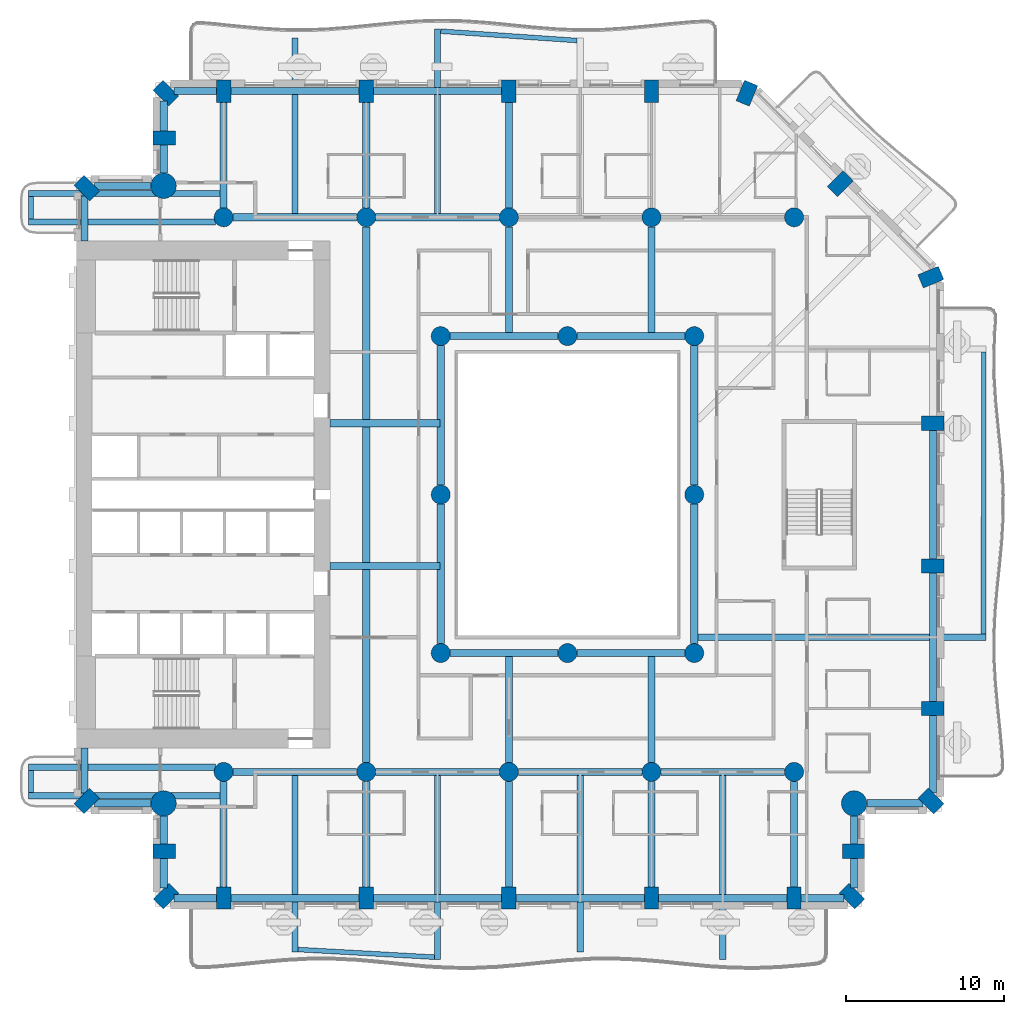
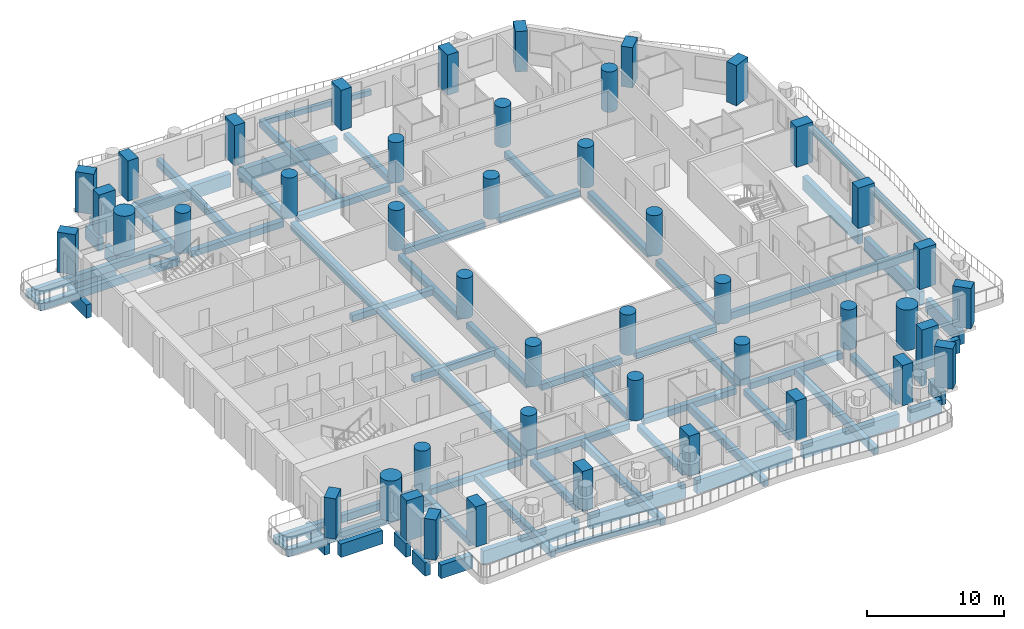
# One storey, part 1 of 20: 70 beams, 45 columns.
"""IFC4 building model written with IfcOpenShell, lengths in metres."""

import ifcopenshell
import ifcopenshell.guid

model = None  # the IFC model being written
_history = None  # IfcOwnerHistory: only IFC2X3 demands one
_inside = {}  # id of a spatial element -> (the spatial element, [elements in it])
_under = {}  # id of a project, library or spatial element -> (it, [spatial elements below it])
_declared = {}  # id of a project -> (the project, [libraries it declares])
_typed = {}  # id of a type object -> (the type object, [elements of that type])
_made_of = {}  # id of a material, layer set ... -> (it, [elements and type objects made of it])


def new_model(schema):
    """Start an empty IFC model of exactly this schema.

    Asked for "IFC4X3", IfcOpenShell would pick the latest addendum, in which some entities
    have other attributes; the version numbers below select the first issue.
    IFC2X3 requires an IfcOwnerHistory on every rooted entity: one is made here for all.
    """
    global model, _history
    if schema == "IFC4X3":
        model = ifcopenshell.file(schema_version=(4, 3, 0, 0))
    else:
        model = ifcopenshell.file(schema=schema)
    _inside.clear()
    _under.clear()
    _declared.clear()
    _typed.clear()
    _made_of.clear()
    _history = None
    if model.schema == "IFC2X3":
        org = make("IfcOrganization", Name="unknown")
        user = make(
            "IfcPersonAndOrganization",
            ThePerson=make("IfcPerson", FamilyName="unknown"),
            TheOrganization=org,
        )
        app = make(
            "IfcApplication",
            ApplicationDeveloper=org,
            Version="unknown",
            ApplicationFullName="unknown",
            ApplicationIdentifier="unknown",
        )
        _history = make(
            "IfcOwnerHistory",
            OwningUser=user,
            OwningApplication=app,
            ChangeAction="ADDED",
            CreationDate=0,
        )
    return model


def make(cls, **values):
    """One entity of the class cls with the attributes given. An attribute that is None is left unset."""
    return model.create_entity(
        cls, **{name: value for name, value in values.items() if value is not None}
    )


def rooted(cls, **values):
    """An entity with a GlobalId (a new one), such as an element, a storey or a relation."""
    return make(cls, GlobalId=ifcopenshell.guid.new(), OwnerHistory=_history, **values)


def si_unit(unit_type, name, prefix=None):
    """IfcSIUnit, for example si_unit("LENGTHUNIT", "METRE", prefix="MILLI")."""
    return make("IfcSIUnit", UnitType=unit_type, Prefix=prefix, Name=name)


def assignment(units):
    """IfcUnitAssignment: the units of a project."""
    return None if units is None else make("IfcUnitAssignment", Units=units)


def point(xyz):
    """IfcCartesianPoint."""
    return None if xyz is None else make("IfcCartesianPoint", Coordinates=xyz)


def direction(xyz):
    """IfcDirection."""
    return None if xyz is None else make("IfcDirection", DirectionRatios=xyz)


def frame(location, z_axis=None, x_axis=None):
    """IfcAxis2Placement3D, a coordinate frame: its origin and axes. An axis left out is left unset."""
    return make(
        "IfcAxis2Placement3D",
        Location=point(location),
        Axis=direction(z_axis),
        RefDirection=direction(x_axis),
    )


def frame_2d(location, x_axis=None):
    """IfcAxis2Placement2D, a coordinate frame in the plane: its origin and x axis."""
    return make(
        "IfcAxis2Placement2D", Location=point(location), RefDirection=direction(x_axis)
    )


def origin():
    """The frame at (0, 0, 0) with its axes left unset."""
    return frame((0.0, 0.0, 0.0))


def origin_2d():
    """The frame at (0, 0) in the plane with its x axis left unset."""
    return frame_2d((0.0, 0.0))


def place(relative_to, where):
    """IfcLocalPlacement: puts the frame where relative to a parent placement (None: the world)."""
    return make(
        "IfcLocalPlacement", PlacementRelTo=relative_to, RelativePlacement=where
    )


def context(
    kind, dimensions, precision=None, world=None, true_north=None, identifier=None
):
    """IfcGeometricRepresentationContext, for example the 3D "Model" context."""
    return make(
        "IfcGeometricRepresentationContext",
        ContextIdentifier=identifier,
        ContextType=kind,
        CoordinateSpaceDimension=dimensions,
        Precision=precision,
        WorldCoordinateSystem=world,
        TrueNorth=true_north,
    )


def subcontext(parent, identifier, kind, view, scale=None):
    """IfcGeometricRepresentationSubContext, for example "Body" below "Model"."""
    return make(
        "IfcGeometricRepresentationSubContext",
        ContextIdentifier=identifier,
        ContextType=kind,
        ParentContext=parent,
        TargetScale=scale,
        TargetView=view,
    )


def project(units=None, contexts=None):
    """IfcProject with its units and contexts."""
    return rooted(
        "IfcProject",
        Name="project",
        RepresentationContexts=contexts,
        UnitsInContext=assignment(units),
    )


def spatial(cls, under=None, at=None, **own):
    """A site, building, storey or space (cls), placed at a placement, below another one or the project."""
    s = rooted(cls, ObjectPlacement=at, **own)
    if under is not None:
        _under.setdefault(under.id(), (under, []))[1].append(s)
    return s


def profile(cls, at=None, kind="AREA", **sizes):
    """A parametric profile (cls). Its sizes go by their IFC names, for example OverallWidth=200.0."""
    return make(cls, ProfileType=kind, Position=at, **sizes)


def rectangle(**sizes):
    """IfcRectangleProfileDef."""
    return profile("IfcRectangleProfileDef", **sizes)


def circle(**sizes):
    """IfcCircleProfileDef."""
    return profile("IfcCircleProfileDef", **sizes)


def extrude(swept, where, along, depth):
    """IfcExtrudedAreaSolid: the profile swept, set in the frame where, extruded along a direction by depth."""
    return make(
        "IfcExtrudedAreaSolid",
        SweptArea=swept,
        Position=where,
        ExtrudedDirection=direction(along),
        Depth=depth,
    )


def shape(context_of_items, identifier, shape_type, items):
    """IfcShapeRepresentation: the items that make up one representation, for example the "Body"."""
    return make(
        "IfcShapeRepresentation",
        ContextOfItems=context_of_items,
        RepresentationIdentifier=identifier,
        RepresentationType=shape_type,
        Items=items,
    )


def material(Name=None, Category=None):
    """IfcMaterial."""
    return make("IfcMaterial", Name=Name, Category=Category)


def material_profile(
    of_material, cross_section, Name=None, Category=None, Priority=None
):
    """IfcMaterialProfile: a cross section and its material."""
    return make(
        "IfcMaterialProfile",
        Name=Name,
        Material=of_material,
        Profile=cross_section,
        Priority=Priority,
        Category=Category,
    )


def profile_set(profiles, Name=None, composite=None):
    """IfcMaterialProfileSet."""
    return make(
        "IfcMaterialProfileSet",
        Name=Name,
        MaterialProfiles=profiles,
        CompositeProfile=composite,
    )


def made_of(thing, what):
    """Note that an element or type object is made of a material, layer set ...; save() writes the relation."""
    if what is not None:
        _made_of.setdefault(what.id(), (what, []))[1].append(thing)
    return thing


def type_object(cls, material=None, **own):
    """A type object (cls), such as IfcWallType, which elements share."""
    return made_of(rooted(cls, **own), material)


def element(
    cls,
    number,
    at=None,
    inside=None,
    cuts=None,
    type_object=None,
    material=None,
    context=None,
    identifier="Body",
    shape_type=None,
    held_by="IfcProductDefinitionShape",
    body=None,
    shapes=None,
    **own,
):
    """One element of the class cls, such as IfcWall. Its Tag is "e" and its number.

    at: its placement. inside: the storey or other place that contains it. cuts: it is an
    opening in that element (IfcRelVoidsElement). A single representation is given by context,
    identifier, shape_type and body (its items); several are given by shapes. held_by: the class
    of the entity that holds the representations. save() writes the other relations.
    """
    e = rooted(cls, Tag="e%d" % number, ObjectPlacement=at, **own)
    if body is not None:
        shapes = [shape(context, identifier, shape_type, body)]
    if shapes is not None:
        e.Representation = make(held_by, Representations=shapes)
    if inside is not None:
        _inside.setdefault(inside.id(), (inside, []))[1].append(e)
    if cuts is not None:
        rooted(
            "IfcRelVoidsElement", RelatingBuildingElement=cuts, RelatedOpeningElement=e
        )
    if type_object is not None:
        _typed.setdefault(type_object.id(), (type_object, []))[1].append(e)
    return made_of(e, material)


def aggregate(whole, parts):
    """IfcRelAggregates: a whole, such as a stair, and the parts it consists of."""
    return rooted("IfcRelAggregates", RelatingObject=whole, RelatedObjects=parts)


def save(model, path):
    """Write the relations noted so far, then the file.

    IfcRelAggregates (storeys below a building ...), IfcRelContainedInSpatialStructure (elements
    in a storey), IfcRelDefinesByType, IfcRelAssociatesMaterial and IfcRelDeclares: one each for
    every whole, place, type object, material and project.
    """
    for whole, parts in _under.values():
        aggregate(whole, parts)
    for where, things in _inside.values():
        rooted(
            "IfcRelContainedInSpatialStructure",
            RelatedElements=things,
            RelatingStructure=where,
        )
    for kind, things in _typed.values():
        rooted("IfcRelDefinesByType", RelatedObjects=things, RelatingType=kind)
    for what, things in _made_of.values():
        rooted("IfcRelAssociatesMaterial", RelatedObjects=things, RelatingMaterial=what)
    for by, libraries in _declared.values():
        rooted("IfcRelDeclares", RelatingContext=by, RelatedDefinitions=libraries)
    model.write(path)


model = new_model("IFC4")

# Units and contexts
model_context = context("Model", 3, precision=1e-05, world=origin(), true_north=direction((0.0, 1.0)))
body_context = subcontext(model_context, "Body", "Model", "MODEL_VIEW")
ifc_project = project(units=[si_unit("LENGTHUNIT", "METRE"), si_unit("AREAUNIT", "SQUARE_METRE"), si_unit("VOLUMEUNIT", "CUBIC_METRE"), si_unit("PLANEANGLEUNIT", "RADIAN"), si_unit("MASSUNIT", "GRAM", prefix="KILO")], contexts=[model_context])

# Site, building, storey
site_placement = place(None, origin())
site = spatial("IfcSite", under=ifc_project, at=site_placement, CompositionType="ELEMENT")
building_placement = place(site_placement, origin())
building = spatial("IfcBuilding", under=site, at=building_placement, Name="Cypress Arch Tower", CompositionType="ELEMENT")
storey_placement = place(building_placement, frame((0.0, 0.0, 55.5)))
storey = spatial("IfcBuildingStorey", under=building, at=storey_placement, Name="L07", CompositionType="ELEMENT", Elevation=55.5)

# Columns
ifc_material_1 = material(Name="Concrete C80/95", Category="concrete")
ifc_material_profile_1 = material_profile(ifc_material_1, rectangle(XDim=0.89990234375, YDim=1.39990234375, at=origin_2d()), Name="RC 900x1400")
ifc_profile_set_1 = profile_set([ifc_material_profile_1], Name="Concrete C80/95")
column_type_1 = type_object("IfcColumnType", Name="Column RC 900x1400 Concrete C80/95", PredefinedType="COLUMN", material=ifc_profile_set_1)
for number, where, z_axis, x_axis, name in (
    (1, (-29.3369140625, 19.3369140625, 0.0), (0.0, 0.0, 1.0), (-0.707106781187, -0.707106781187, 0.0), "Column L07 CA00"),
    (2, (-29.3369140625, -19.3369140625, 0.0), (0.0, 0.0, 1.0), (0.707106781187, -0.707106781187, 0.0), "Column L07 CA01"),
    (3, (-24.449951171875, -22.5, 0.0), (0.0, 0.0, 1.0), (0.0, -1.0, 0.0), "Column L07 CA03"),
    (4, (-24.3369140625, -25.3369140625, 0.0), (0.0, 0.0, 1.0), (0.707106781187, -0.707106781187, 0.0), "Column L07 CA04"),
    (5, (-20.699951171875, -25.449951171875, 0.0), (0.0, 0.0, 1.0), (1.0, 0.0, 0.0), "Column L07 CA05"),
    (6, (-11.699951171875, -25.449951171875, 0.0), (0.0, 0.0, 1.0), (1.0, 0.0, 0.0), "Column L07 CA06"),
    (7, (-2.699951171875, -25.449951171875, 0.0), (0.0, 0.0, 1.0), (1.0, 0.0, 0.0), "Column L07 CA07"),
    (8, (6.300048828125, -25.449951171875, 0.0), (0.0, 0.0, 1.0), (1.0, 0.0, 0.0), "Column L07 CA08"),
    (9, (15.300048828125, -25.449951171875, 0.0), (0.0, 0.0, 1.0), (1.0, 0.0, 0.0), "Column L07 CA09"),
    (10, (18.936767578125, -25.3369140625, 0.0), (0.0, 0.0, 1.0), (0.707106781187, 0.707106781187, 0.0), "Column L07 CA10"),
    (11, (19.050048828125, -22.5, 0.0), (0.0, 0.0, 1.0), (0.0, 1.0, 0.0), "Column L07 CA11"),
    (12, (23.936767578125, -19.3369140625, 0.0), (0.0, 0.0, 1.0), (0.707106781187, 0.707106781187, 0.0), "Column L07 CA13"),
    (13, (24.050048828125, -13.5, 0.0), (0.0, 0.0, 1.0), (0.0, 1.0, 0.0), "Column L07 CA14"),
    (14, (24.050048828125, -4.5, 0.0), (0.0, 0.0, 1.0), (0.0, 1.0, 0.0), "Column L07 CA15"),
    (15, (24.050048828125, 4.5, 0.0), (0.0, 0.0, 1.0), (0.0, 1.0, 0.0), "Column L07 CA16"),
    (16, (23.93115234375, 13.722900390625, 0.0), (0.0, 0.0, 1.0), (-0.382683496864, 0.923879505795, 0.0), "Column L07 CA17"),
    (17, (18.211181640625, 19.611083984375, 0.0), (0.0, 0.0, 1.0), (-0.707106781187, 0.707106781187, 0.0), "Column L07 CA18"),
    (18, (12.322998046875, 25.3310546875, 0.0), (0.0, 0.0, 1.0), (-0.923879505795, 0.382683496864, 0.0), "Column L07 CA19"),
    (19, (6.300048828125, 25.449951171875, 0.0), (0.0, 0.0, 1.0), (-1.0, 0.0, 0.0), "Column L07 CA20"),
    (20, (-2.699951171875, 25.449951171875, 0.0), (0.0, 0.0, 1.0), (-1.0, 0.0, 0.0), "Column L07 CA21"),
    (21, (-11.699951171875, 25.449951171875, 0.0), (0.0, 0.0, 1.0), (-1.0, 0.0, 0.0), "Column L07 CA22"),
    (22, (-20.699951171875, 25.449951171875, 0.0), (0.0, 0.0, 1.0), (-1.0, 0.0, 0.0), "Column L07 CA23"),
    (23, (-24.3369140625, 25.3369140625, 0.0), (0.0, 0.0, 1.0), (-0.707106781187, -0.707106781187, 0.0), "Column L07 CA24"),
    (24, (-24.449951171875, 22.5, 0.0), (0.0, 0.0, 1.0), (0.0, -1.0, 0.0), "Column L07 CA25"),
):
    element("IfcColumn", number, at=place(storey_placement, frame(where, z_axis=z_axis, x_axis=x_axis)), inside=storey, type_object=column_type_1, Name=name, PredefinedType="COLUMN", context=body_context, shape_type="SweptSolid", body=[
        extrude(rectangle(XDim=0.89990234375, YDim=1.39990234375, at=origin_2d()), origin(), (0.0, 0.0, 1.0), 3.60009765625),
    ])
ifc_material_2 = material(Name="Concrete C80/95", Category="concrete")
ifc_material_profile_2 = material_profile(ifc_material_2, circle(Radius=0.60009765625, at=origin_2d()), Name="RC D1200")
ifc_profile_set_2 = profile_set([ifc_material_profile_2], Name="Concrete C80/95")
column_type_2 = type_object("IfcColumnType", Name="Column RC D1200 Concrete C80/95", PredefinedType="COLUMN", material=ifc_profile_set_2)
for number, where, z_axis, x_axis, name in (
    (25, (-20.699951171875, -17.5, 0.0), (0.0, 0.0, 1.0), (1.0, 0.0, 0.0), "Column L07 CIC-L07-CI3S"),
    (26, (-11.699951171875, -17.5, 0.0), (0.0, 0.0, 1.0), (1.0, 0.0, 0.0), "Column L07 CIC-L07-CI4S"),
    (27, (-2.699951171875, -17.5, 0.0), (0.0, 0.0, 1.0), (1.0, 0.0, 0.0), "Column L07 CIC-L07-CI5S"),
    (28, (6.300048828125, -17.5, 0.0), (0.0, 0.0, 1.0), (1.0, 0.0, 0.0), "Column L07 CIC-L07-CI6S"),
    (29, (15.300048828125, -17.5, 0.0), (0.0, 0.0, 1.0), (1.0, 0.0, 0.0), "Column L07 CIC-L07-CI7S"),
    (30, (-20.699951171875, 17.5, 0.0), (0.0, 0.0, 1.0), (1.0, 0.0, 0.0), "Column L07 CIC-L07-CI3N"),
    (31, (-11.699951171875, 17.5, 0.0), (0.0, 0.0, 1.0), (1.0, 0.0, 0.0), "Column L07 CIC-L07-CI4N"),
    (32, (-2.699951171875, 17.5, 0.0), (0.0, 0.0, 1.0), (1.0, 0.0, 0.0), "Column L07 CIC-L07-CI5N"),
    (33, (6.300048828125, 17.5, 0.0), (0.0, 0.0, 1.0), (1.0, 0.0, 0.0), "Column L07 CIC-L07-CI6N"),
    (34, (15.300048828125, 17.5, 0.0), (0.0, 0.0, 1.0), (1.0, 0.0, 0.0), "Column L07 CIC-L07-CI7N"),
    (35, (-7.0, -10.0, 0.0), (0.0, 0.0, 1.0), (1.0, 0.0, 0.0), "Column L07 RNG-L07-G-7-10"),
    (36, (-7.0, 0.0, 0.0), (0.0, 0.0, 1.0), (1.0, 0.0, 0.0), "Column L07 RNG-L07-G-7+0"),
    (37, (-7.0, 10.0, 0.0), (0.0, 0.0, 1.0), (1.0, 0.0, 0.0), "Column L07 RNG-L07-G-7+10"),
    (38, (1.0, -10.0, 0.0), (0.0, 0.0, 1.0), (1.0, 0.0, 0.0), "Column L07 RNG-L07-G+1-10"),
    (39, (1.0, 10.0, 0.0), (0.0, 0.0, 1.0), (1.0, 0.0, 0.0), "Column L07 RNG-L07-G+1+10"),
    (40, (9.0, -10.0, 0.0), (0.0, 0.0, 1.0), (1.0, 0.0, 0.0), "Column L07 RNG-L07-G+9-10"),
    (41, (9.0, 0.0, 0.0), (0.0, 0.0, 1.0), (1.0, 0.0, 0.0), "Column L07 RNG-L07-G+9+0"),
    (42, (9.0, 10.0, 0.0), (0.0, 0.0, 1.0), (1.0, 0.0, 0.0), "Column L07 RNG-L07-G+9+10"),
):
    element("IfcColumn", number, at=place(storey_placement, frame(where, z_axis=z_axis, x_axis=x_axis)), inside=storey, type_object=column_type_2, Name=name, PredefinedType="COLUMN", context=body_context, shape_type="SweptSolid", body=[
        extrude(circle(Radius=0.60009765625, at=origin_2d()), origin(), (0.0, 0.0, 1.0), 3.60009765625),
    ])
ifc_material_3 = material(Name="Concrete C80/95", Category="concrete")
ifc_material_profile_3 = material_profile(ifc_material_3, circle(Radius=0.800048828125, at=origin_2d()), Name="RC D1600")
ifc_profile_set_3 = profile_set([ifc_material_profile_3], Name="Concrete C80/95")
column_type_3 = type_object("IfcColumnType", Name="Mega-column RC D1600 Concrete C80/95", PredefinedType="COLUMN", material=ifc_profile_set_3)
for number, where, z_axis, x_axis, name in (
    (43, (-24.48779296875, -19.48779296875, 0.0), (0.0, 0.0, 1.0), (1.0, 0.0, 0.0), "Column L07 CA02"),
    (44, (19.087890625, -19.48779296875, 0.0), (0.0, 0.0, 1.0), (1.0, 0.0, 0.0), "Column L07 CA12"),
    (45, (-24.48779296875, 19.48779296875, 0.0), (0.0, 0.0, 1.0), (1.0, 0.0, 0.0), "Column L07 CA26"),
):
    element("IfcColumn", number, at=place(storey_placement, frame(where, z_axis=z_axis, x_axis=x_axis)), inside=storey, type_object=column_type_3, Name=name, PredefinedType="COLUMN", context=body_context, shape_type="SweptSolid", body=[
        extrude(circle(Radius=0.800048828125, at=origin_2d()), origin(), (0.0, 0.0, 1.0), 3.60009765625),
    ])

# Beams
ifc_material_4 = material(Name="Concrete C50/60", Category="concrete")
ifc_material_profile_4 = material_profile(ifc_material_4, rectangle(XDim=0.300048828125, YDim=0.449951171875, at=origin_2d()), Name="RC 300x450")
ifc_profile_set_4 = profile_set([ifc_material_profile_4], Name="Concrete C50/60")
beam_type_1 = type_object("IfcBeamType", Name="Balcony edge beam RC 300x450 Concrete C50/60", PredefinedType="BEAM", material=ifc_profile_set_4)
beam_1_placement = place(storey_placement, frame((-16.0, -28.70947265625, -0.52490234375), z_axis=(0.998439878073, -0.05583735195, 0.0), x_axis=(0.05583735195, 0.998439878073, 0.0)))
element("IfcBeam", 46, at=beam_1_placement, inside=storey, type_object=beam_type_1, Name="Balcony edge beam L07 A03", PredefinedType="BEAM", context=body_context, shape_type="SweptSolid", body=[
    extrude(rectangle(XDim=0.300048828125, YDim=0.449951171875, at=origin_2d()), origin(), (0.0, 0.0, 1.0), 8.613525390625),
])
beam_2_placement = place(storey_placement, frame((1.60009765625, 28.65380859375, -0.52490234375), z_axis=(-0.997663993213, 0.068312199842, 0.0), x_axis=(-0.068312199842, -0.997663993213, 0.0)))
element("IfcBeam", 47, at=beam_2_placement, inside=storey, type_object=beam_type_1, Name="Balcony edge beam L07 A08", PredefinedType="BEAM", context=body_context, shape_type="SweptSolid", body=[
    extrude(rectangle(XDim=0.300048828125, YDim=0.449951171875, at=origin_2d()), origin(), (0.0, 0.0, 1.0), 8.6201171875),
])
ifc_material_5 = material(Name="Concrete C50/60", Category="concrete")
ifc_material_profile_5 = material_profile(ifc_material_5, rectangle(XDim=0.300048828125, YDim=0.64990234375, at=origin_2d()), Name="RC 300x650")
ifc_profile_set_5 = profile_set([ifc_material_profile_5], Name="Concrete C50/60")
beam_type_2 = type_object("IfcBeamType", Name="Balcony edge beam RC 300x650 Concrete C50/60", PredefinedType="BEAM", material=ifc_profile_set_5)
beam_3_placement = place(storey_placement, frame((27.257080078125, -8.800048828125, -0.625), z_axis=(0.000494104992, 0.99999987793, 0.0), x_axis=(-0.99999987793, 0.000494104992, 0.0)))
element("IfcBeam", 48, at=beam_3_placement, inside=storey, type_object=beam_type_2, Name="Balcony edge beam L07 A06", PredefinedType="BEAM", context=body_context, shape_type="SweptSolid", body=[
    extrude(rectangle(XDim=0.300048828125, YDim=0.64990234375, at=origin_2d()), origin(), (0.0, 0.0, 1.0), 17.787841796875),
])
ifc_material_6 = material(Name="Concrete C50/60", Category="concrete")
ifc_material_profile_6 = material_profile(ifc_material_6, rectangle(XDim=0.300048828125, YDim=0.39990234375, at=origin_2d()), Name="RC 300x400")
ifc_profile_set_6 = profile_set([ifc_material_profile_6], Name="Concrete C50/60")
beam_type_3 = type_object("IfcBeamType", Name="Balcony stub beam RC 300x400 Concrete C50/60", PredefinedType="BEAM", material=ifc_profile_set_6)
for number, where, z_axis, x_axis, name in (
    (49, (-32.85009765625, 18.800048828125, -0.5), (0.0, -1.0, 0.0), (1.0, 0.0, 0.0), "Balcony stub beam L07 A00W0"),
    (50, (-32.85009765625, -17.39990234375, -0.5), (0.0, -1.0, 0.0), (1.0, 0.0, 0.0), "Balcony stub beam L07 A00W1"),
):
    element("IfcBeam", number, at=place(storey_placement, frame(where, z_axis=z_axis, x_axis=x_axis)), inside=storey, type_object=beam_type_3, Name=name, PredefinedType="BEAM", context=body_context, shape_type="SweptSolid", body=[
        extrude(rectangle(XDim=0.300048828125, YDim=0.39990234375, at=origin_2d()), origin(), (0.0, 0.0, 1.0), 1.400146484375),
    ])
ifc_material_7 = material(Name="Concrete C50/60", Category="concrete")
ifc_material_profile_7 = material_profile(ifc_material_7, rectangle(XDim=0.39990234375, YDim=0.64990234375, at=origin_2d()), Name="RC 400x650")
ifc_profile_set_7 = profile_set([ifc_material_profile_7], Name="Concrete C50/60")
beam_type_4 = type_object("IfcBeamType", Name="Cantilever beam RC 400x650 Concrete C50/60", PredefinedType="BEAM", material=ifc_profile_set_7)
beam_4_placement = place(storey_placement, frame((-20.925048828125, 19.0, -0.625), z_axis=(-1.0, 0.0, 0.0), x_axis=(0.0, -1.0, 0.0)))
element("IfcBeam", 51, at=beam_4_placement, inside=storey, type_object=beam_type_4, Name="Cantilever beam L07 A00 1", PredefinedType="BEAM", context=body_context, shape_type="SweptSolid", body=[
    extrude(rectangle(XDim=0.39990234375, YDim=0.64990234375, at=origin_2d()), origin(), (0.0, 0.0, 1.0), 12.074951171875),
])
for number, where, z_axis, x_axis, name in (
    (52, (-21.219482421875, 17.199951171875, -0.625), (-1.0, 0.0, 0.0), (0.0, -1.0, 0.0), "Cantilever beam L07 A00 2"),
    (53, (-21.219482421875, -17.199951171875, -0.625), (-1.0, 0.0, 0.0), (0.0, -1.0, 0.0), "Cantilever beam L07 A00 1"),
):
    element("IfcBeam", number, at=place(storey_placement, frame(where, z_axis=z_axis, x_axis=x_axis)), inside=storey, type_object=beam_type_4, Name=name, PredefinedType="BEAM", context=body_context, shape_type="SweptSolid", body=[
        extrude(rectangle(XDim=0.39990234375, YDim=0.64990234375, at=origin_2d()), origin(), (0.0, 0.0, 1.0), 11.780517578125),
    ])
beam_5_placement = place(storey_placement, frame((-20.925048828125, -19.0, -0.625), z_axis=(-1.0, 0.0, 0.0), x_axis=(0.0, -1.0, 0.0)))
element("IfcBeam", 54, at=beam_5_placement, inside=storey, type_object=beam_type_4, Name="Cantilever beam L07 A00 2", PredefinedType="BEAM", context=body_context, shape_type="SweptSolid", body=[
    extrude(rectangle(XDim=0.39990234375, YDim=0.64990234375, at=origin_2d()), origin(), (0.0, 0.0, 1.0), 12.074951171875),
])
beam_6_placement = place(storey_placement, frame((-16.199951171875, -17.72509765625, -0.625), z_axis=(0.0, -1.0, 0.0), x_axis=(1.0, 0.0, 0.0)))
element("IfcBeam", 55, at=beam_6_placement, inside=storey, type_object=beam_type_4, Name="Cantilever beam L07 A03 1", PredefinedType="BEAM", context=body_context, shape_type="SweptSolid", body=[
    extrude(rectangle(XDim=0.39990234375, YDim=0.64990234375, at=origin_2d()), origin(), (0.0, 0.0, 1.0), 11.13427734375),
])
beam_7_placement = place(storey_placement, frame((-7.199951171875, -17.72509765625, -0.625), z_axis=(0.0, -1.0, 0.0), x_axis=(1.0, 0.0, 0.0)))
element("IfcBeam", 56, at=beam_7_placement, inside=storey, type_object=beam_type_4, Name="Cantilever beam L07 A03 2", PredefinedType="BEAM", context=body_context, shape_type="SweptSolid", body=[
    extrude(rectangle(XDim=0.39990234375, YDim=0.64990234375, at=origin_2d()), origin(), (0.0, 0.0, 1.0), 11.615234375),
])
beam_8_placement = place(storey_placement, frame((1.800048828125, -17.72509765625, -0.625), z_axis=(0.0, -1.0, 0.0), x_axis=(1.0, 0.0, 0.0)))
element("IfcBeam", 57, at=beam_8_placement, inside=storey, type_object=beam_type_4, Name="Cantilever beam L07 A03 3", PredefinedType="BEAM", context=body_context, shape_type="SweptSolid", body=[
    extrude(rectangle(XDim=0.39990234375, YDim=0.64990234375, at=origin_2d()), origin(), (0.0, 0.0, 1.0), 11.134521484375),
])
beam_9_placement = place(storey_placement, frame((10.800048828125, -17.72509765625, -0.625), z_axis=(0.0, -1.0, 0.0), x_axis=(1.0, 0.0, 0.0)))
element("IfcBeam", 58, at=beam_9_placement, inside=storey, type_object=beam_type_4, Name="Cantilever beam L07 A03 4", PredefinedType="BEAM", context=body_context, shape_type="SweptSolid", body=[
    extrude(rectangle(XDim=0.39990234375, YDim=0.64990234375, at=origin_2d()), origin(), (0.0, 0.0, 1.0), 11.61572265625),
])
beam_10_placement = place(storey_placement, frame((9.22509765625, -9.0, -0.625), z_axis=(1.0, 0.0, 0.0), x_axis=(0.0, 1.0, 0.0)))
element("IfcBeam", 59, at=beam_10_placement, inside=storey, type_object=beam_type_4, Name="Cantilever beam L07 A06 1", PredefinedType="BEAM", context=body_context, shape_type="SweptSolid", body=[
    extrude(rectangle(XDim=0.39990234375, YDim=0.64990234375, at=origin_2d()), origin(), (0.0, 0.0, 1.0), 18.181884765625),
])
beam_11_placement = place(storey_placement, frame((-7.199951171875, 17.72509765625, -0.625), z_axis=(0.0, 1.0, 0.0), x_axis=(-1.0, 0.0, 0.0)))
element("IfcBeam", 60, at=beam_11_placement, inside=storey, type_object=beam_type_4, Name="Cantilever beam L07 A08 2", PredefinedType="BEAM", context=body_context, shape_type="SweptSolid", body=[
    extrude(rectangle(XDim=0.39990234375, YDim=0.64990234375, at=origin_2d()), origin(), (0.0, 0.0, 1.0), 11.66748046875),
])
beam_12_placement = place(storey_placement, frame((-16.199951171875, 17.72509765625, -0.625), z_axis=(0.0, 1.0, 0.0), x_axis=(-1.0, 0.0, 0.0)))
element("IfcBeam", 61, at=beam_12_placement, inside=storey, type_object=beam_type_4, Name="Cantilever beam L07 A08 3", PredefinedType="BEAM", context=body_context, shape_type="SweptSolid", body=[
    extrude(rectangle(XDim=0.39990234375, YDim=0.64990234375, at=origin_2d()), origin(), (0.0, 0.0, 1.0), 11.085693359375),
])
ifc_material_8 = material(Name="Concrete C50/60", Category="concrete")
ifc_material_profile_8 = material_profile(ifc_material_8, rectangle(XDim=0.449951171875, YDim=0.550048828125, at=origin_2d()), Name="RC 450x550")
ifc_profile_set_8 = profile_set([ifc_material_profile_8], Name="Concrete C50/60")
beam_type_5 = type_object("IfcBeamType", Name="Floor beam RC 450x550 Concrete C50/60", PredefinedType="BEAM", material=ifc_profile_set_8)
for number, where, z_axis, x_axis, name in (
    (62, (-7.0, -9.39990234375, -0.574951171875), (0.0, 1.0, 0.0), (-1.0, 0.0, 0.0), "Floor beam L07 RB001"),
    (63, (-7.0, 0.60009765625, -0.574951171875), (0.0, 1.0, 0.0), (-1.0, 0.0, 0.0), "Floor beam L07 RB002"),
    (64, (9.0, -9.39990234375, -0.574951171875), (0.0, 1.0, 0.0), (-1.0, 0.0, 0.0), "Floor beam L07 RB003"),
    (65, (9.0, 0.60009765625, -0.574951171875), (0.0, 1.0, 0.0), (-1.0, 0.0, 0.0), "Floor beam L07 RB004"),
):
    element("IfcBeam", number, at=place(storey_placement, frame(where, z_axis=z_axis, x_axis=x_axis)), inside=storey, type_object=beam_type_5, Name=name, PredefinedType="BEAM", context=body_context, shape_type="SweptSolid", body=[
        extrude(rectangle(XDim=0.449951171875, YDim=0.550048828125, at=origin_2d()), origin(), (0.0, 0.0, 1.0), 8.7998046875),
    ])
for number, where, z_axis, x_axis, name in (
    (66, (-6.39990234375, -10.0, -0.574951171875), (1.0, 0.0, 0.0), (0.0, 1.0, 0.0), "Floor beam L07 RB005"),
    (67, (1.60009765625, -10.0, -0.574951171875), (1.0, 0.0, 0.0), (0.0, 1.0, 0.0), "Floor beam L07 RB006"),
    (68, (-6.39990234375, 10.0, -0.574951171875), (1.0, 0.0, 0.0), (0.0, 1.0, 0.0), "Floor beam L07 RB007"),
    (69, (1.60009765625, 10.0, -0.574951171875), (1.0, 0.0, 0.0), (0.0, 1.0, 0.0), "Floor beam L07 RB008"),
):
    element("IfcBeam", number, at=place(storey_placement, frame(where, z_axis=z_axis, x_axis=x_axis)), inside=storey, type_object=beam_type_5, Name=name, PredefinedType="BEAM", context=body_context, shape_type="SweptSolid", body=[
        extrude(rectangle(XDim=0.449951171875, YDim=0.550048828125, at=origin_2d()), origin(), (0.0, 0.0, 1.0), 6.7998046875),
    ])
for number, where, z_axis, x_axis, name in (
    (70, (-20.10009765625, -17.5, -0.574951171875), (1.0, 0.0, 0.0), (0.0, 1.0, 0.0), "Floor beam L07 FB009"),
    (71, (-11.10009765625, -17.5, -0.574951171875), (1.0, 0.0, 0.0), (0.0, 1.0, 0.0), "Floor beam L07 FB010"),
    (72, (-2.10009765625, -17.5, -0.574951171875), (1.0, 0.0, 0.0), (0.0, 1.0, 0.0), "Floor beam L07 FB011"),
    (73, (6.89990234375, -17.5, -0.574951171875), (1.0, 0.0, 0.0), (0.0, 1.0, 0.0), "Floor beam L07 FB012"),
):
    element("IfcBeam", number, at=place(storey_placement, frame(where, z_axis=z_axis, x_axis=x_axis)), inside=storey, type_object=beam_type_5, Name=name, PredefinedType="BEAM", context=body_context, shape_type="SweptSolid", body=[
        extrude(rectangle(XDim=0.449951171875, YDim=0.550048828125, at=origin_2d()), origin(), (0.0, 0.0, 1.0), 7.800048828125),
    ])
for number, where, z_axis, x_axis, name in (
    (74, (-14.0, -4.5, -0.574951171875), (1.0, 0.0, 0.0), (0.0, 1.0, 0.0), "Floor beam L07 FB013"),
    (75, (-14.0, 4.5, -0.574951171875), (1.0, 0.0, 0.0), (0.0, 1.0, 0.0), "Floor beam L07 FB014"),
):
    element("IfcBeam", number, at=place(storey_placement, frame(where, z_axis=z_axis, x_axis=x_axis)), inside=storey, type_object=beam_type_5, Name=name, PredefinedType="BEAM", context=body_context, shape_type="SweptSolid", body=[
        extrude(rectangle(XDim=0.449951171875, YDim=0.550048828125, at=origin_2d()), origin(), (0.0, 0.0, 1.0), 6.949951171875),
    ])
for number, where, z_axis, x_axis, name in (
    (76, (-20.10009765625, 17.5, -0.574951171875), (1.0, 0.0, 0.0), (0.0, 1.0, 0.0), "Floor beam L07 FB015"),
    (77, (-11.10009765625, 17.5, -0.574951171875), (1.0, 0.0, 0.0), (0.0, 1.0, 0.0), "Floor beam L07 FB016"),
):
    element("IfcBeam", number, at=place(storey_placement, frame(where, z_axis=z_axis, x_axis=x_axis)), inside=storey, type_object=beam_type_5, Name=name, PredefinedType="BEAM", context=body_context, shape_type="SweptSolid", body=[
        extrude(rectangle(XDim=0.449951171875, YDim=0.550048828125, at=origin_2d()), origin(), (0.0, 0.0, 1.0), 7.800048828125),
    ])
for number, where, z_axis, x_axis, name in (
    (78, (-20.699951171875, -24.75, -0.574951171875), (0.0, 1.0, 0.0), (-1.0, 0.0, 0.0), "Floor beam L07 FB019"),
    (79, (-20.699951171875, 18.10009765625, -0.574951171875), (0.0, 1.0, 0.0), (-1.0, 0.0, 0.0), "Floor beam L07 FB020"),
    (80, (-11.699951171875, -24.75, -0.574951171875), (0.0, 1.0, 0.0), (-1.0, 0.0, 0.0), "Floor beam L07 FB021"),
):
    element("IfcBeam", number, at=place(storey_placement, frame(where, z_axis=z_axis, x_axis=x_axis)), inside=storey, type_object=beam_type_5, Name=name, PredefinedType="BEAM", context=body_context, shape_type="SweptSolid", body=[
        extrude(rectangle(XDim=0.449951171875, YDim=0.550048828125, at=origin_2d()), origin(), (0.0, 0.0, 1.0), 6.64990234375),
    ])
beam_13_placement = place(storey_placement, frame((-11.699951171875, -4.27490234375, -0.574951171875), z_axis=(0.0, 1.0, 0.0), x_axis=(-1.0, 0.0, 0.0)))
element("IfcBeam", 81, at=beam_13_placement, inside=storey, type_object=beam_type_5, Name="Floor beam L07 FB023", PredefinedType="BEAM", context=body_context, shape_type="SweptSolid", body=[
    extrude(rectangle(XDim=0.449951171875, YDim=0.550048828125, at=origin_2d()), origin(), (0.0, 0.0, 1.0), 8.5498046875),
])
for number, where, z_axis, x_axis, name in (
    (82, (-11.699951171875, 18.10009765625, -0.574951171875), (0.0, 1.0, 0.0), (-1.0, 0.0, 0.0), "Floor beam L07 FB025"),
    (83, (-2.699951171875, -24.75, -0.574951171875), (0.0, 1.0, 0.0), (-1.0, 0.0, 0.0), "Floor beam L07 FB026"),
):
    element("IfcBeam", number, at=place(storey_placement, frame(where, z_axis=z_axis, x_axis=x_axis)), inside=storey, type_object=beam_type_5, Name=name, PredefinedType="BEAM", context=body_context, shape_type="SweptSolid", body=[
        extrude(rectangle(XDim=0.449951171875, YDim=0.550048828125, at=origin_2d()), origin(), (0.0, 0.0, 1.0), 6.64990234375),
    ])
for number, where, z_axis, x_axis, name in (
    (84, (-2.699951171875, -16.89990234375, -0.574951171875), (0.0, 1.0, 0.0), (-1.0, 0.0, 0.0), "Floor beam L07 FB027"),
    (85, (-2.699951171875, 10.22509765625, -0.574951171875), (0.0, 1.0, 0.0), (-1.0, 0.0, 0.0), "Floor beam L07 FB028"),
):
    element("IfcBeam", number, at=place(storey_placement, frame(where, z_axis=z_axis, x_axis=x_axis)), inside=storey, type_object=beam_type_5, Name=name, PredefinedType="BEAM", context=body_context, shape_type="SweptSolid", body=[
        extrude(rectangle(XDim=0.449951171875, YDim=0.550048828125, at=origin_2d()), origin(), (0.0, 0.0, 1.0), 6.6748046875),
    ])
for number, where, z_axis, x_axis, name in (
    (86, (-2.699951171875, 18.10009765625, -0.574951171875), (0.0, 1.0, 0.0), (-1.0, 0.0, 0.0), "Floor beam L07 FB029"),
    (87, (6.300048828125, -24.75, -0.574951171875), (0.0, 1.0, 0.0), (-1.0, 0.0, 0.0), "Floor beam L07 FB030"),
):
    element("IfcBeam", number, at=place(storey_placement, frame(where, z_axis=z_axis, x_axis=x_axis)), inside=storey, type_object=beam_type_5, Name=name, PredefinedType="BEAM", context=body_context, shape_type="SweptSolid", body=[
        extrude(rectangle(XDim=0.449951171875, YDim=0.550048828125, at=origin_2d()), origin(), (0.0, 0.0, 1.0), 6.64990234375),
    ])
for number, where, z_axis, x_axis, name in (
    (88, (6.300048828125, -16.89990234375, -0.574951171875), (0.0, 1.0, 0.0), (-1.0, 0.0, 0.0), "Floor beam L07 FB031"),
    (89, (6.300048828125, 10.22509765625, -0.574951171875), (0.0, 1.0, 0.0), (-1.0, 0.0, 0.0), "Floor beam L07 FB032"),
):
    element("IfcBeam", number, at=place(storey_placement, frame(where, z_axis=z_axis, x_axis=x_axis)), inside=storey, type_object=beam_type_5, Name=name, PredefinedType="BEAM", context=body_context, shape_type="SweptSolid", body=[
        extrude(rectangle(XDim=0.449951171875, YDim=0.550048828125, at=origin_2d()), origin(), (0.0, 0.0, 1.0), 6.6748046875),
    ])
beam_14_placement = place(storey_placement, frame((15.300048828125, -24.75, -0.574951171875), z_axis=(0.0, 1.0, 0.0), x_axis=(-1.0, 0.0, 0.0)))
element("IfcBeam", 90, at=beam_14_placement, inside=storey, type_object=beam_type_5, Name="Floor beam L07 FB034", PredefinedType="BEAM", context=body_context, shape_type="SweptSolid", body=[
    extrude(rectangle(XDim=0.449951171875, YDim=0.550048828125, at=origin_2d()), origin(), (0.0, 0.0, 1.0), 6.64990234375),
])
ifc_material_9 = material(Name="Concrete C50/60", Category="concrete")
ifc_material_profile_9 = material_profile(ifc_material_9, rectangle(XDim=0.5, YDim=0.699951171875, at=origin_2d()), Name="RC 500x700")
ifc_profile_set_9 = profile_set([ifc_material_profile_9], Name="Concrete C50/60")
beam_type_6 = type_object("IfcBeamType", Name="Floor beam RC 500x700 Concrete C50/60", PredefinedType="BEAM", material=ifc_profile_set_9)
for number, where, z_axis, x_axis, name in (
    (91, (-11.699951171875, -16.89990234375, -0.64990234375), (0.0, 1.0, 0.0), (-1.0, 0.0, 0.0), "Floor beam L07 FB022"),
    (92, (-11.699951171875, 4.72509765625, -0.64990234375), (0.0, 1.0, 0.0), (-1.0, 0.0, 0.0), "Floor beam L07 FB024"),
):
    element("IfcBeam", number, at=place(storey_placement, frame(where, z_axis=z_axis, x_axis=x_axis)), inside=storey, type_object=beam_type_6, Name=name, PredefinedType="BEAM", context=body_context, shape_type="SweptSolid", body=[
        extrude(rectangle(XDim=0.5, YDim=0.699951171875, at=origin_2d()), origin(), (0.0, 0.0, 1.0), 12.1748046875),
    ])
ifc_material_10 = material(Name="Concrete C50/60", Category="concrete")
ifc_material_profile_10 = material_profile(ifc_material_10, rectangle(XDim=0.449951171875, YDim=1.199951171875, at=origin_2d()), Name="RC 450x1200")
ifc_profile_set_10 = profile_set([ifc_material_profile_10], Name="Concrete C50/60")
beam_type_7 = type_object("IfcBeamType", Name="Spandrel beam RC 450x1200 Concrete C50/60", PredefinedType="SPANDREL", material=ifc_profile_set_10)
for number, where, z_axis, x_axis, name in (
    (93, (-29.47509765625, 18.838623046875, -1.550048828125), (0.0, -1.0, 0.0), (1.0, 0.0, 0.0), "Spandrel beam L07 BA00-0"),
    (94, (-29.47509765625, -16.0, -1.550048828125), (0.0, -1.0, 0.0), (1.0, 0.0, 0.0), "Spandrel beam L07 BA00-0"),
):
    element("IfcBeam", number, at=place(storey_placement, frame(where, z_axis=z_axis, x_axis=x_axis)), inside=storey, type_object=beam_type_7, Name=name, PredefinedType="SPANDREL", context=body_context, shape_type="SweptSolid", body=[
        extrude(rectangle(XDim=0.449951171875, YDim=1.199951171875, at=origin_2d()), origin(), (0.0, 0.0, 1.0), 2.838623046875),
    ])
beam_15_placement = place(storey_placement, frame((-28.838623046875, -19.47509765625, -1.550048828125), z_axis=(1.0, 0.0, 0.0), x_axis=(0.0, 1.0, 0.0)))
element("IfcBeam", 95, at=beam_15_placement, inside=storey, type_object=beam_type_7, Name="Spandrel beam L07 BA01-0", PredefinedType="SPANDREL", context=body_context, shape_type="SweptSolid", body=[
    extrude(rectangle(XDim=0.449951171875, YDim=1.199951171875, at=origin_2d()), origin(), (0.0, 0.0, 1.0), 3.551025390625),
])
beam_16_placement = place(storey_placement, frame((-24.47509765625, -20.28759765625, -1.550048828125), z_axis=(0.0, -1.0, 0.0), x_axis=(1.0, 0.0, 0.0)))
element("IfcBeam", 96, at=beam_16_placement, inside=storey, type_object=beam_type_7, Name="Spandrel beam L07 BA02-0", PredefinedType="SPANDREL", context=body_context, shape_type="SweptSolid", body=[
    extrude(rectangle(XDim=0.449951171875, YDim=1.199951171875, at=origin_2d()), origin(), (0.0, 0.0, 1.0), 1.762451171875),
])
beam_17_placement = place(storey_placement, frame((-24.47509765625, -22.949951171875, -1.550048828125), z_axis=(0.0, -1.0, 0.0), x_axis=(1.0, 0.0, 0.0)))
element("IfcBeam", 97, at=beam_17_placement, inside=storey, type_object=beam_type_7, Name="Spandrel beam L07 BA02-1", PredefinedType="SPANDREL", context=body_context, shape_type="SweptSolid", body=[
    extrude(rectangle(XDim=0.449951171875, YDim=1.199951171875, at=origin_2d()), origin(), (0.0, 0.0, 1.0), 1.888671875),
])
beam_18_placement = place(storey_placement, frame((-23.838623046875, -25.47509765625, -1.550048828125), z_axis=(1.0, 0.0, 0.0), x_axis=(0.0, 1.0, 0.0)))
element("IfcBeam", 98, at=beam_18_placement, inside=storey, type_object=beam_type_7, Name="Spandrel beam L07 BA03-0", PredefinedType="SPANDREL", context=body_context, shape_type="SweptSolid", body=[
    extrude(rectangle(XDim=0.449951171875, YDim=1.199951171875, at=origin_2d()), origin(), (0.0, 0.0, 1.0), 2.688720703125),
])
for number, where, z_axis, x_axis, name in (
    (99, (-20.25, -25.47509765625, -1.550048828125), (1.0, 0.0, 0.0), (0.0, 1.0, 0.0), "Spandrel beam L07 BA03-1"),
    (100, (-11.25, -25.47509765625, -1.550048828125), (1.0, 0.0, 0.0), (0.0, 1.0, 0.0), "Spandrel beam L07 BA03-2"),
    (101, (-2.25, -25.47509765625, -1.550048828125), (1.0, 0.0, 0.0), (0.0, 1.0, 0.0), "Spandrel beam L07 BA03-3"),
    (102, (6.75, -25.47509765625, -1.550048828125), (1.0, 0.0, 0.0), (0.0, 1.0, 0.0), "Spandrel beam L07 BA03-4"),
):
    element("IfcBeam", number, at=place(storey_placement, frame(where, z_axis=z_axis, x_axis=x_axis)), inside=storey, type_object=beam_type_7, Name=name, PredefinedType="SPANDREL", context=body_context, shape_type="SweptSolid", body=[
        extrude(rectangle(XDim=0.449951171875, YDim=1.199951171875, at=origin_2d()), origin(), (0.0, 0.0, 1.0), 8.10009765625),
    ])
beam_19_placement = place(storey_placement, frame((15.75, -25.47509765625, -1.550048828125), z_axis=(1.0, 0.0, 0.0), x_axis=(0.0, 1.0, 0.0)))
element("IfcBeam", 103, at=beam_19_placement, inside=storey, type_object=beam_type_7, Name="Spandrel beam L07 BA03-5", PredefinedType="SPANDREL", context=body_context, shape_type="SweptSolid", body=[
    extrude(rectangle(XDim=0.449951171875, YDim=1.199951171875, at=origin_2d()), origin(), (0.0, 0.0, 1.0), 2.688720703125),
])
beam_20_placement = place(storey_placement, frame((19.074951171875, -24.838623046875, -1.550048828125), z_axis=(0.0, 1.0, 0.0), x_axis=(-1.0, 0.0, 0.0)))
element("IfcBeam", 104, at=beam_20_placement, inside=storey, type_object=beam_type_7, Name="Spandrel beam L07 BA04-0", PredefinedType="SPANDREL", context=body_context, shape_type="SweptSolid", body=[
    extrude(rectangle(XDim=0.449951171875, YDim=1.199951171875, at=origin_2d()), origin(), (0.0, 0.0, 1.0), 1.888671875),
])
beam_21_placement = place(storey_placement, frame((19.074951171875, -22.050048828125, -1.550048828125), z_axis=(0.0, 1.0, 0.0), x_axis=(-1.0, 0.0, 0.0)))
element("IfcBeam", 105, at=beam_21_placement, inside=storey, type_object=beam_type_7, Name="Spandrel beam L07 BA04-1", PredefinedType="SPANDREL", context=body_context, shape_type="SweptSolid", body=[
    extrude(rectangle(XDim=0.449951171875, YDim=1.199951171875, at=origin_2d()), origin(), (0.0, 0.0, 1.0), 1.762451171875),
])
beam_22_placement = place(storey_placement, frame((19.887451171875, -19.47509765625, -1.550048828125), z_axis=(1.0, 0.0, 0.0), x_axis=(0.0, 1.0, 0.0)))
element("IfcBeam", 106, at=beam_22_placement, inside=storey, type_object=beam_type_7, Name="Spandrel beam L07 BA05-0", PredefinedType="SPANDREL", context=body_context, shape_type="SweptSolid", body=[
    extrude(rectangle(XDim=0.449951171875, YDim=1.199951171875, at=origin_2d()), origin(), (0.0, 0.0, 1.0), 3.55126953125),
])
beam_23_placement = place(storey_placement, frame((24.074951171875, -18.838623046875, -1.550048828125), z_axis=(0.0, 1.0, 0.0), x_axis=(-1.0, 0.0, 0.0)))
element("IfcBeam", 107, at=beam_23_placement, inside=storey, type_object=beam_type_7, Name="Spandrel beam L07 BA06-0", PredefinedType="SPANDREL", context=body_context, shape_type="SweptSolid", body=[
    extrude(rectangle(XDim=0.449951171875, YDim=1.199951171875, at=origin_2d()), origin(), (0.0, 0.0, 1.0), 4.888671875),
])
for number, where, z_axis, x_axis, name in (
    (108, (24.074951171875, -13.050048828125, -1.550048828125), (0.0, 1.0, 0.0), (-1.0, 0.0, 0.0), "Spandrel beam L07 BA06-1"),
    (109, (24.074951171875, -4.050048828125, -1.550048828125), (0.0, 1.0, 0.0), (-1.0, 0.0, 0.0), "Spandrel beam L07 BA06-2"),
    (110, (-3.14990234375, 25.47509765625, -1.550048828125), (-1.0, 0.0, 0.0), (0.0, -1.0, 0.0), "Spandrel beam L07 BA08-2"),
    (111, (-12.14990234375, 25.47509765625, -1.550048828125), (-1.0, 0.0, 0.0), (0.0, -1.0, 0.0), "Spandrel beam L07 BA08-3"),
):
    element("IfcBeam", number, at=place(storey_placement, frame(where, z_axis=z_axis, x_axis=x_axis)), inside=storey, type_object=beam_type_7, Name=name, PredefinedType="SPANDREL", context=body_context, shape_type="SweptSolid", body=[
        extrude(rectangle(XDim=0.449951171875, YDim=1.199951171875, at=origin_2d()), origin(), (0.0, 0.0, 1.0), 8.10009765625),
    ])
beam_24_placement = place(storey_placement, frame((-21.14990234375, 25.47509765625, -1.550048828125), z_axis=(-1.0, 0.0, 0.0), x_axis=(0.0, -1.0, 0.0)))
element("IfcBeam", 112, at=beam_24_placement, inside=storey, type_object=beam_type_7, Name="Spandrel beam L07 BA08-4", PredefinedType="SPANDREL", context=body_context, shape_type="SweptSolid", body=[
    extrude(rectangle(XDim=0.449951171875, YDim=1.199951171875, at=origin_2d()), origin(), (0.0, 0.0, 1.0), 2.688720703125),
])
beam_25_placement = place(storey_placement, frame((-24.47509765625, 24.838623046875, -1.550048828125), z_axis=(0.0, -1.0, 0.0), x_axis=(1.0, 0.0, 0.0)))
element("IfcBeam", 113, at=beam_25_placement, inside=storey, type_object=beam_type_7, Name="Spandrel beam L07 BA09-0", PredefinedType="SPANDREL", context=body_context, shape_type="SweptSolid", body=[
    extrude(rectangle(XDim=0.449951171875, YDim=1.199951171875, at=origin_2d()), origin(), (0.0, 0.0, 1.0), 1.888671875),
])
beam_26_placement = place(storey_placement, frame((-24.47509765625, 22.050048828125, -1.550048828125), z_axis=(0.0, -1.0, 0.0), x_axis=(1.0, 0.0, 0.0)))
element("IfcBeam", 114, at=beam_26_placement, inside=storey, type_object=beam_type_7, Name="Spandrel beam L07 BA09-1", PredefinedType="SPANDREL", context=body_context, shape_type="SweptSolid", body=[
    extrude(rectangle(XDim=0.449951171875, YDim=1.199951171875, at=origin_2d()), origin(), (0.0, 0.0, 1.0), 1.762451171875),
])
beam_27_placement = place(storey_placement, frame((-25.28759765625, 19.47509765625, -1.550048828125), z_axis=(-1.0, 0.0, 0.0), x_axis=(0.0, -1.0, 0.0)))
element("IfcBeam", 115, at=beam_27_placement, inside=storey, type_object=beam_type_7, Name="Spandrel beam L07 BA10-0", PredefinedType="SPANDREL", context=body_context, shape_type="SweptSolid", body=[
    extrude(rectangle(XDim=0.449951171875, YDim=1.199951171875, at=origin_2d()), origin(), (0.0, 0.0, 1.0), 3.551025390625),
])

save(model, "model.ifc")
